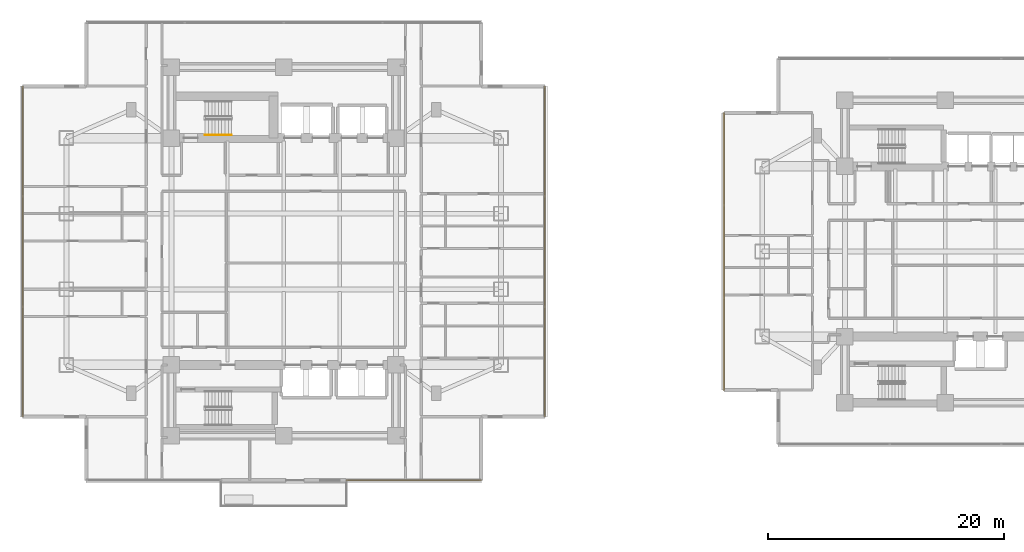
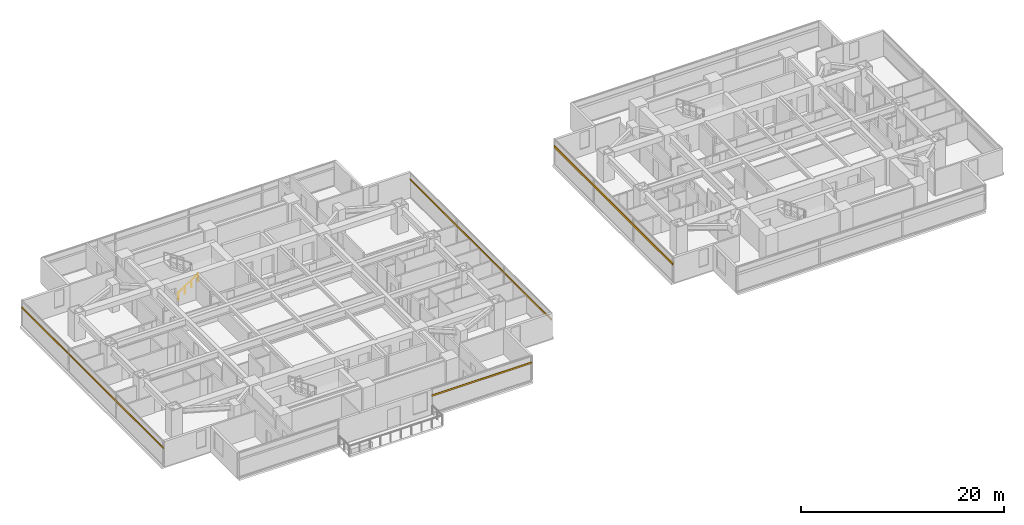
# One storey, part 21 of 25: 4 shading devices, 1 railing.
"""IFC4 building model written with IfcOpenShell, lengths in metres."""

from ifc_helpers import new_model, si_unit, direction, frame, origin, origin_2d, place, context, subcontext, project, spatial, rectangle, circle, extrude, material, material_profile, profile_set, type_object, element, save


model = new_model("IFC4")

# Units and contexts
model_context = context("Model", 3, precision=1e-05, world=origin(), true_north=direction((0.0, 1.0)))
body_context = subcontext(model_context, "Body", "Model", "MODEL_VIEW")
ifc_project = project(units=[si_unit("LENGTHUNIT", "METRE"), si_unit("AREAUNIT", "SQUARE_METRE"), si_unit("VOLUMEUNIT", "CUBIC_METRE"), si_unit("PLANEANGLEUNIT", "RADIAN"), si_unit("MASSUNIT", "GRAM", prefix="KILO")], contexts=[model_context])

# Site, building, storey
site_placement = place(None, origin())
site = spatial("IfcSite", under=ifc_project, at=site_placement, CompositionType="ELEMENT")
building_placement = place(site_placement, origin())
building = spatial("IfcBuilding", under=site, at=building_placement, Name="Mirazonda Arch Towers", CompositionType="ELEMENT")
storey_placement = place(building_placement, frame((0.0, 0.0, 35.60009765625)))
storey = spatial("IfcBuildingStorey", under=building, at=storey_placement, Name="L09", CompositionType="ELEMENT", Elevation=35.60009765625)

# Shading devices
ifc_material_1 = material(Name="Kiln-Fired Architectural Terracotta", Category="masonry")
ifc_material_profile_1 = material_profile(ifc_material_1, rectangle(XDim=0.10009765625, YDim=0.199951171875, at=origin_2d()), Name="TERRA-BAG-100x200")
ifc_profile_set_1 = profile_set([ifc_material_profile_1], Name="Kiln-Fired Architectural Terracotta")
shading_device_type_1 = type_object("IfcShadingDeviceType", Name="BAGUETTE-2", PredefinedType="USERDEFINED", material=ifc_profile_set_1)
shading_device_1_placement = place(storey_placement, frame((37.219970703125, 8.6279296875, 2.188720703125), z_axis=(-1.0, 0.0, 0.0), x_axis=(0.0, -1.0, 0.0)))
element("IfcShadingDevice", 1, at=shading_device_1_placement, inside=storey, type_object=shading_device_type_1, Name="L09 Glazed Terracotta Sun-Screen Baguette CW-L09-T1-SA", ObjectType="BAGUETTE", PredefinedType="USERDEFINED", context=body_context, shape_type="SweptSolid", body=[
    extrude(rectangle(XDim=0.10009765625, YDim=0.199951171875, at=origin_2d()), origin(), (0.0, 0.0, 1.0), 11.429931640625),
])
for number, where, z_axis, x_axis, name in (
    (2, (42.60009765625, 14.008056640625, 2.188720703125), (0.0, 1.0, 0.0), (-1.0, 0.0, 0.0), "L09 Glazed Terracotta Sun-Screen Baguette CW-L09-T1-E"),
    (3, (-1.60009765625, 41.991943359375, 2.188720703125), (0.0, -1.0, 0.0), (1.0, 0.0, 0.0), "L09 Glazed Terracotta Sun-Screen Baguette CW-L09-T1-W"),
):
    element("IfcShadingDevice", number, at=place(storey_placement, frame(where, z_axis=z_axis, x_axis=x_axis)), inside=storey, type_object=shading_device_type_1, Name=name, ObjectType="BAGUETTE", PredefinedType="USERDEFINED", context=body_context, shape_type="SweptSolid", body=[
        extrude(rectangle(XDim=0.10009765625, YDim=0.199951171875, at=origin_2d()), origin(), (0.0, 0.0, 1.0), 27.98388671875),
    ])
ifc_material_profile_2 = material_profile(ifc_material_1, rectangle(XDim=0.139892578125, YDim=0.280029296875, at=origin_2d()), Name="TERRA-BAG-140x280")
ifc_profile_set_2 = profile_set([ifc_material_profile_2], Name="Kiln-Fired Architectural Terracotta")
shading_device_type_2 = type_object("IfcShadingDeviceType", Name="BAGUETTE-3", PredefinedType="USERDEFINED", material=ifc_profile_set_2)
shading_device_2_placement = place(storey_placement, frame((57.76806640625, 39.733154296875, 2.188720703125), z_axis=(0.0, -1.0, 0.0), x_axis=(1.0, 0.0, 0.0)))
element("IfcShadingDevice", 4, at=shading_device_2_placement, inside=storey, type_object=shading_device_type_2, Name="L09 Glazed Terracotta Sun-Screen Baguette CW-L09-T2-W", ObjectType="BAGUETTE", PredefinedType="USERDEFINED", context=body_context, shape_type="SweptSolid", body=[
    extrude(rectangle(XDim=0.139892578125, YDim=0.280029296875, at=origin_2d()), origin(), (0.0, 0.0, 1.0), 23.46630859375),
])

# Railing
ifc_material_2 = material(Name="Architectural Brushed Steel S355", Category="steel")
railing_type = type_object("IfcRailingType", Name="HANDRAIL-915", PredefinedType="HANDRAIL", material=ifc_material_2)
railing_placement = place(storey_placement, frame((13.85009765625, 37.8701171875, 0.183349609375)))
element("IfcRailing", 5, at=railing_placement, inside=storey, type_object=railing_type, Name="L09 ST-T1N stair handrail 1", PredefinedType="HANDRAIL", context=body_context, shape_type="SweptSolid", body=[
    extrude(circle(Radius=0.02392578125, at=origin_2d()), frame((0.0, 0.0, 0.8759765625), z_axis=(0.836636935527, 0.0, 0.547757827979), x_axis=(0.0, 1.0, 0.0)), (0.0, 0.0, 1.0), 2.677490234375),
    extrude(circle(Radius=0.02099609375, at=origin_2d()), origin(), (0.0, 0.0, 1.0), 0.851806640625),
    extrude(circle(Radius=0.02099609375, at=origin_2d()), frame((0.74658203125, 0.0, 0.48876953125)), (0.0, 0.0, 1.0), 0.851806640625),
    extrude(circle(Radius=0.02099609375, at=origin_2d()), frame((1.493408203125, 0.0, 0.977783203125)), (0.0, 0.0, 1.0), 0.851806640625),
    extrude(circle(Radius=0.02099609375, at=origin_2d()), frame((2.239990234375, 0.0, 1.466552734375)), (0.0, 0.0, 1.0), 0.851806640625),
])

save(model, "model.ifc")
